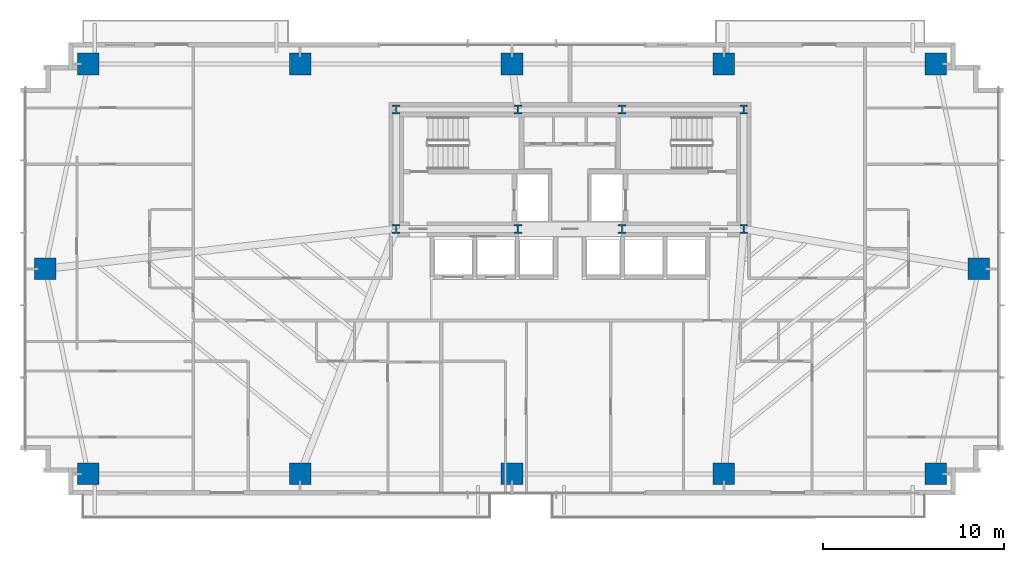
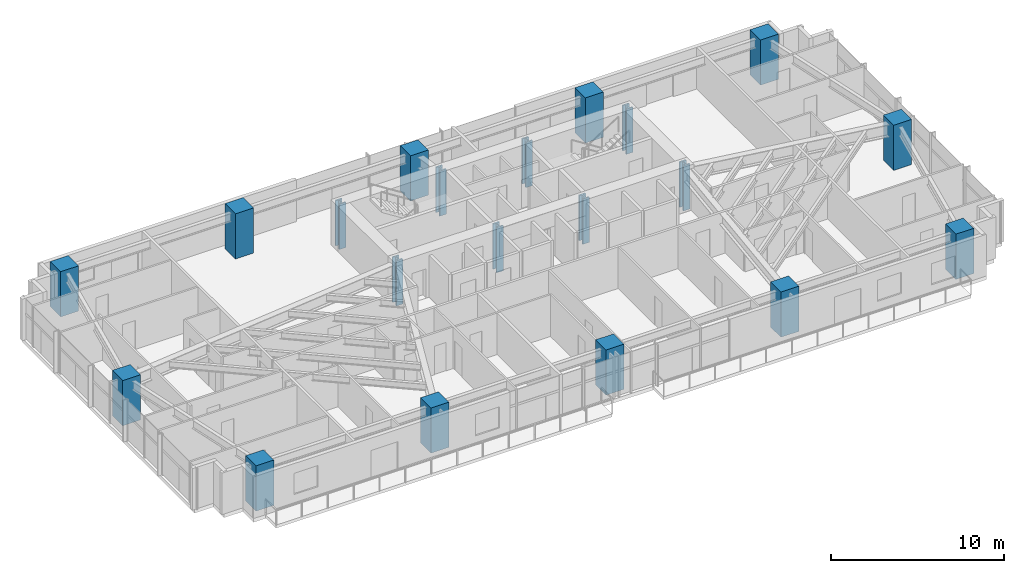
# One storey, part 1 of 25: 20 columns.
"""IFC4 building model written with IfcOpenShell, lengths in metres."""

from ifc_helpers import new_model, si_unit, direction, frame, origin, origin_2d, place, context, subcontext, project, spatial, rectangle, i_section, extrude, source, transform, mapped, material, material_profile, profile_set, type_object, type_shapes, element, save


model = new_model("IFC4")

# Units and contexts
model_context = context("Model", 3, precision=1e-05, world=origin(), true_north=direction((0.0, 1.0)))
body_context = subcontext(model_context, "Body", "Model", "MODEL_VIEW")
ifc_project = project(units=[si_unit("LENGTHUNIT", "METRE"), si_unit("AREAUNIT", "SQUARE_METRE"), si_unit("VOLUMEUNIT", "CUBIC_METRE"), si_unit("PLANEANGLEUNIT", "RADIAN"), si_unit("MASSUNIT", "GRAM", prefix="KILO")], contexts=[model_context])

# Site, building, storey
site_placement = place(None, origin())
site = spatial("IfcSite", under=ifc_project, at=site_placement, CompositionType="ELEMENT")
building_placement = place(site_placement, origin())
building = spatial("IfcBuilding", under=site, at=building_placement, Name="Astriad Promenade Condominiums", CompositionType="ELEMENT")
storey_placement = place(building_placement, frame((0.0, 0.0, 29.39990234375)))
storey = spatial("IfcBuildingStorey", under=building, at=storey_placement, Name="L07", CompositionType="ELEMENT", Elevation=29.39990234375)

# Columns
ifc_material_1 = material(Name="Steel ASTM A992 Grade 50", Category="steel")
ifc_material_profile_1 = material_profile(ifc_material_1, i_section(OverallWidth=0.43701171875, OverallDepth=0.51416015625, WebThickness=0.060546875, FlangeThickness=0.096923828125, FilletRadius=0.017822265625, at=origin_2d()), Name="W14X550")
ifc_profile_set_1 = profile_set([ifc_material_profile_1], Name="Steel ASTM A992 Grade 50")
column_type_1 = type_object("IfcColumnType", Name="STEEL CORE PILASTER W14X550", PredefinedType="PILASTER", material=ifc_profile_set_1)
shared_shape_1 = source(origin(), body_context, "Body", "SweptSolid", [
    extrude(i_section(OverallWidth=0.43701171875, OverallDepth=0.51416015625, WebThickness=0.060546875, FlangeThickness=0.096923828125, FilletRadius=0.017822265625, at=origin_2d()), origin(), (0.0, 0.0, 1.0), 3.19580078125),
])
type_shapes(column_type_1, [shared_shape_1])
for number, where, z_axis, x_axis, name in (
    (1, (26.39990234375, 17.39990234375, 0.002197265625), (0.0, 0.0, 1.0), (1.0, 0.0, 0.0), "Core Pilaster Column CP1 (L07)"),
    (2, (33.1201171875, 17.39990234375, 0.002197265625), (0.0, 0.0, 1.0), (1.0, 0.0, 0.0), "Core Pilaster Column CP2 (L07)"),
    (3, (38.8798828125, 17.39990234375, 0.002197265625), (0.0, 0.0, 1.0), (1.0, 0.0, 0.0), "Core Pilaster Column CP3 (L07)"),
    (4, (45.60009765625, 17.39990234375, 0.002197265625), (0.0, 0.0, 1.0), (1.0, 0.0, 0.0), "Core Pilaster Column CP4 (L07)"),
    (5, (26.39990234375, 24.0, 0.002197265625), (0.0, 0.0, 1.0), (1.0, 0.0, 0.0), "Core Pilaster Column CP5 (L07)"),
    (6, (33.1201171875, 24.0, 0.002197265625), (0.0, 0.0, 1.0), (1.0, 0.0, 0.0), "Core Pilaster Column CP6 (L07)"),
    (7, (38.8798828125, 24.0, 0.002197265625), (0.0, 0.0, 1.0), (1.0, 0.0, 0.0), "Core Pilaster Column CP7 (L07)"),
    (8, (45.60009765625, 24.0, 0.002197265625), (0.0, 0.0, 1.0), (1.0, 0.0, 0.0), "Core Pilaster Column CP8 (L07)"),
):
    element("IfcColumn", number, at=place(storey_placement, frame(where, z_axis=z_axis, x_axis=x_axis)), inside=storey, type_object=column_type_1, Name=name, PredefinedType="PILASTER", context=body_context, shape_type="MappedRepresentation", body=[
        mapped(shared_shape_1, transform((0.0, 0.0, 0.0), scale=1.0)),
    ])
ifc_material_2 = material(Name="Concrete C80/95", Category="concrete")
ifc_material_profile_2 = material_profile(ifc_material_2, rectangle(XDim=1.199951171875, YDim=1.199951171875, at=origin_2d()), Name="RC-COL-1200X1200")
ifc_profile_set_2 = profile_set([ifc_material_profile_2], Name="Concrete C80/95")
column_type_2 = type_object("IfcColumnType", Name="CONCRETE MEGA COLUMN 1200X1200", PredefinedType="COLUMN", material=ifc_profile_set_2)
shared_shape_2 = source(origin(), body_context, "Body", "SweptSolid", [
    extrude(rectangle(XDim=1.199951171875, YDim=1.199951171875, at=origin_2d()), origin(), (0.0, 0.0, 1.0), 3.19580078125),
])
type_shapes(column_type_2, [shared_shape_2])
for number, where, z_axis, x_axis, name in (
    (9, (9.39990234375, 3.8798828125, 0.002197265625), (0.0, 0.0, 1.0), (1.0, 0.0, 0.0), "Perimeter Column PC01 (L07)"),
    (10, (21.10009765625, 3.8798828125, 0.002197265625), (0.0, 0.0, 1.0), (1.0, 0.0, 0.0), "Perimeter Column PC02 (L07)"),
    (11, (32.800048828125, 3.8798828125, 0.002197265625), (0.0, 0.0, 1.0), (1.0, 0.0, 0.0), "Perimeter Column PC03 (L07)"),
    (12, (44.5, 3.8798828125, 0.002197265625), (0.0, 0.0, 1.0), (1.0, 0.0, 0.0), "Perimeter Column PC04 (L07)"),
    (13, (56.199951171875, 3.8798828125, 0.002197265625), (0.0, 0.0, 1.0), (1.0, 0.0, 0.0), "Perimeter Column PC05 (L07)"),
    (14, (9.39990234375, 26.52001953125, 0.002197265625), (0.0, 0.0, 1.0), (1.0, 0.0, 0.0), "Perimeter Column PC06 (L07)"),
    (15, (21.10009765625, 26.52001953125, 0.002197265625), (0.0, 0.0, 1.0), (1.0, 0.0, 0.0), "Perimeter Column PC07 (L07)"),
    (16, (32.800048828125, 26.52001953125, 0.002197265625), (0.0, 0.0, 1.0), (1.0, 0.0, 0.0), "Perimeter Column PC08 (L07)"),
    (17, (44.5, 26.52001953125, 0.002197265625), (0.0, 0.0, 1.0), (1.0, 0.0, 0.0), "Perimeter Column PC09 (L07)"),
    (18, (56.199951171875, 26.52001953125, 0.002197265625), (0.0, 0.0, 1.0), (1.0, 0.0, 0.0), "Perimeter Column PC10 (L07)"),
    (19, (7.02001953125, 15.199951171875, 0.002197265625), (0.0, 0.0, 1.0), (1.0, 0.0, 0.0), "Perimeter Column PC11 (L07)"),
    (20, (58.580078125, 15.199951171875, 0.002197265625), (0.0, 0.0, 1.0), (1.0, 0.0, 0.0), "Perimeter Column PC12 (L07)"),
):
    element("IfcColumn", number, at=place(storey_placement, frame(where, z_axis=z_axis, x_axis=x_axis)), inside=storey, type_object=column_type_2, Name=name, PredefinedType="COLUMN", context=body_context, shape_type="MappedRepresentation", body=[
        mapped(shared_shape_2, transform((0.0, 0.0, 0.0), scale=1.0)),
    ])

save(model, "model.ifc")
